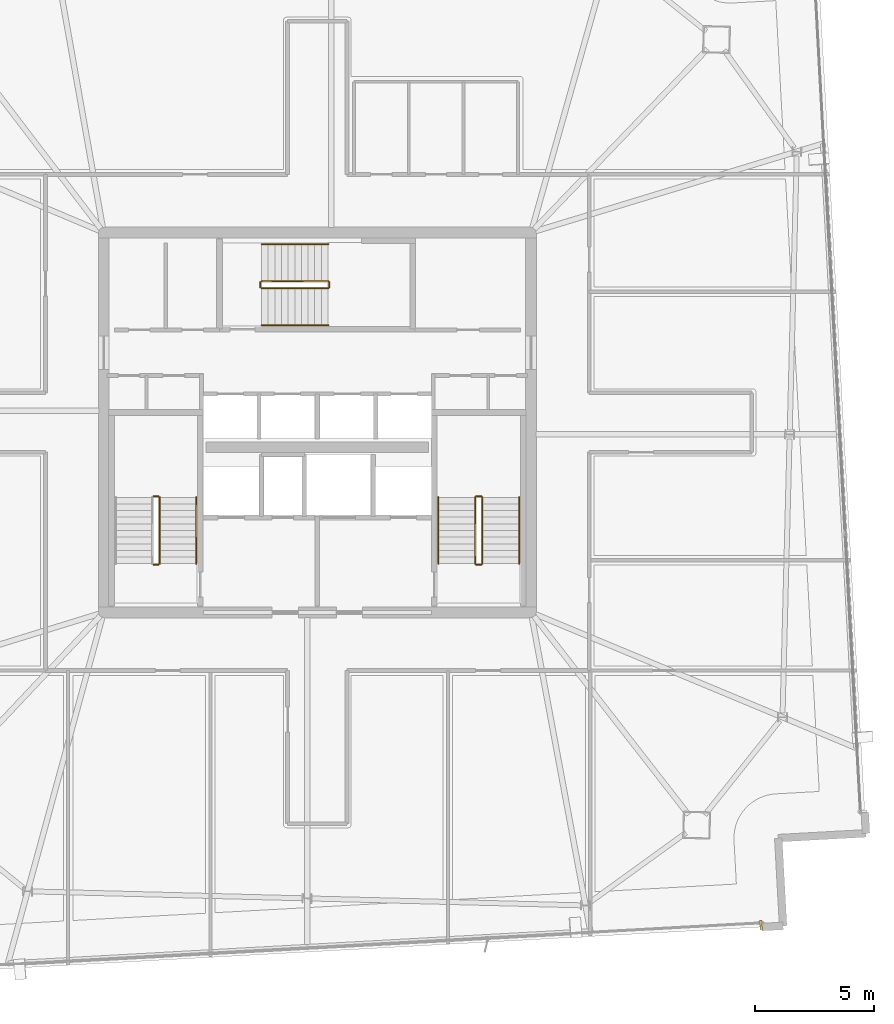
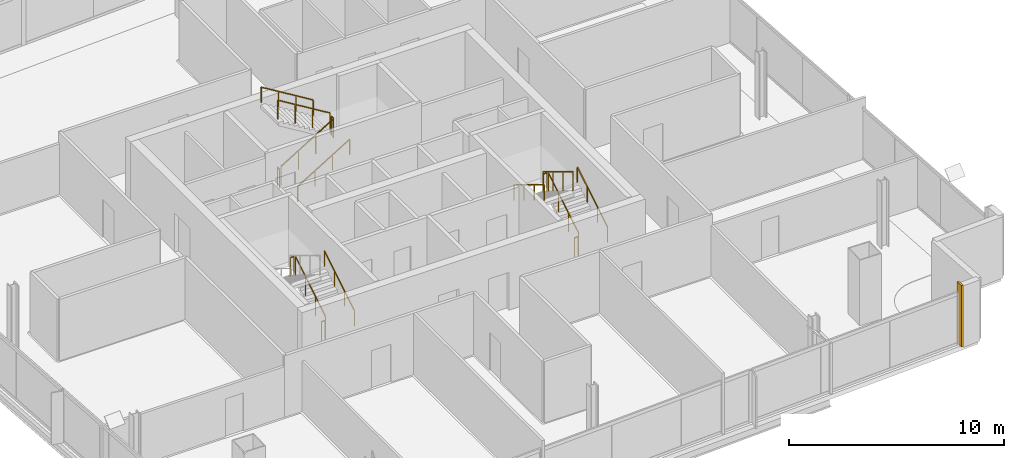
# One storey, part 22 of 23: 16 railings, 1 covering.
"""IFC4 building model written with IfcOpenShell, lengths in metres."""

from ifc_helpers import new_model, si_unit, direction, frame, origin, origin_2d, place, context, subcontext, project, spatial, rectangle, extrude, source, transform, mapped, material, layer, layer_set, type_object, element, save


model = new_model("IFC4")

# Units and contexts
model_context = context("Model", 3, precision=1e-05, world=origin(), true_north=direction((0.0, 1.0)))
body_context = subcontext(model_context, "Body", "Model", "MODEL_VIEW")
ifc_project = project(units=[si_unit("LENGTHUNIT", "METRE"), si_unit("AREAUNIT", "SQUARE_METRE"), si_unit("VOLUMEUNIT", "CUBIC_METRE"), si_unit("PLANEANGLEUNIT", "RADIAN"), si_unit("MASSUNIT", "GRAM", prefix="KILO")], contexts=[model_context])

# Site, building, storey
site_placement = place(None, origin())
site = spatial("IfcSite", under=ifc_project, at=site_placement, CompositionType="ELEMENT")
building_placement = place(site_placement, origin())
building = spatial("IfcBuilding", under=site, at=building_placement, Name="Haldenkirk Collegiate Tower", CompositionType="ELEMENT")
storey_placement = place(building_placement, frame((0.0, 0.0, 340.199951171875)))
storey = spatial("IfcBuildingStorey", under=building, at=storey_placement, Name="L86", CompositionType="ELEMENT", Elevation=340.199951171875)

# Railings
ifc_material_1 = material(Name="Painted architectural tubular steel", Category="steel")
railing_type_1 = type_object("IfcRailingType", Name="RLG-STAIR-GUARD-1100", PredefinedType="BALUSTRADE", material=ifc_material_1)
railing_1_placement = place(storey_placement, frame((29.35009765625, 20.050048828125, 0.17041015625)))
element("IfcRailing", 1, at=railing_1_placement, inside=storey, type_object=railing_type_1, Name="L86 ST-1 stair guard 1", PredefinedType="BALUSTRADE", context=body_context, shape_type="SweptSolid", body=[
    extrude(rectangle(XDim=0.048095703125, YDim=0.048095703125, at=origin_2d()), frame((0.0, 0.0, 1.076171875), z_axis=(0.0, 0.854169791009, 0.51999420009), x_axis=(-1.0, 0.0, 0.0)), (0.0, 0.0, 1.0), 3.278076171875),
    extrude(rectangle(XDim=0.0419921875, YDim=0.0419921875, at=origin_2d()), origin(), (0.0, 0.0, 1.0), 1.052001953125),
    extrude(rectangle(XDim=0.0419921875, YDim=0.0419921875, at=origin_2d()), frame((0.0, 0.933349609375, 0.568115234375)), (0.0, 0.0, 1.0), 1.052001953125),
    extrude(rectangle(XDim=0.0419921875, YDim=0.0419921875, at=origin_2d()), frame((0.0, 1.86669921875, 1.136474609375)), (0.0, 0.0, 1.0), 1.052001953125),
    extrude(rectangle(XDim=0.0419921875, YDim=0.0419921875, at=origin_2d()), frame((0.0, 2.800048828125, 1.70458984375)), (0.0, 0.0, 1.0), 1.052001953125),
])
for number, where, name in (
    (2, (29.300048828125, 22.89990234375, 1.875), "L86 ST-1 stair guard 2"),
    (3, (29.300048828125, 20.0, 0.0), "L86 ST-1 stair guard 4"),
):
    element("IfcRailing", number, at=place(storey_placement, frame(where)), inside=storey, type_object=railing_type_1, Name=name, PredefinedType="BALUSTRADE", context=body_context, shape_type="SweptSolid", body=[
        extrude(rectangle(XDim=0.048095703125, YDim=0.048095703125, at=origin_2d()), frame((0.0, 0.0, 1.076171875), z_axis=(-1.0, 0.0, 0.0), x_axis=(0.0, -1.0, 0.0)), (0.0, 0.0, 1.0), 0.199951171875),
        extrude(rectangle(XDim=0.0419921875, YDim=0.0419921875, at=origin_2d()), origin(), (0.0, 0.0, 1.0), 1.052001953125),
        extrude(rectangle(XDim=0.0419921875, YDim=0.0419921875, at=origin_2d()), frame((-0.199951171875, 0.0, 0.0)), (0.0, 0.0, 1.0), 1.052001953125),
    ])
railing_2_placement = place(storey_placement, frame((42.949951171875, 20.050048828125, 0.17041015625)))
element("IfcRailing", 4, at=railing_2_placement, inside=storey, type_object=railing_type_1, Name="L86 ST-2 stair guard 1", PredefinedType="BALUSTRADE", context=body_context, shape_type="SweptSolid", body=[
    extrude(rectangle(XDim=0.048095703125, YDim=0.048095703125, at=origin_2d()), frame((0.0, 0.0, 1.076171875), z_axis=(0.0, 0.854169791009, 0.51999420009), x_axis=(-1.0, 0.0, 0.0)), (0.0, 0.0, 1.0), 3.278076171875),
    extrude(rectangle(XDim=0.0419921875, YDim=0.0419921875, at=origin_2d()), origin(), (0.0, 0.0, 1.0), 1.052001953125),
    extrude(rectangle(XDim=0.0419921875, YDim=0.0419921875, at=origin_2d()), frame((0.0, 0.933349609375, 0.568115234375)), (0.0, 0.0, 1.0), 1.052001953125),
    extrude(rectangle(XDim=0.0419921875, YDim=0.0419921875, at=origin_2d()), frame((0.0, 1.86669921875, 1.136474609375)), (0.0, 0.0, 1.0), 1.052001953125),
    extrude(rectangle(XDim=0.0419921875, YDim=0.0419921875, at=origin_2d()), frame((0.0, 2.800048828125, 1.70458984375)), (0.0, 0.0, 1.0), 1.052001953125),
])
railing_3_placement = place(storey_placement, frame((42.89990234375, 22.89990234375, 1.875)))
element("IfcRailing", 5, at=railing_3_placement, inside=storey, type_object=railing_type_1, Name="L86 ST-2 stair guard 2", PredefinedType="BALUSTRADE", context=body_context, shape_type="SweptSolid", body=[
    extrude(rectangle(XDim=0.048095703125, YDim=0.048095703125, at=origin_2d()), frame((0.0, 0.0, 1.076171875), z_axis=(-1.0, 0.0, 0.0), x_axis=(0.0, -1.0, 0.0)), (0.0, 0.0, 1.0), 0.199951171875),
    extrude(rectangle(XDim=0.0419921875, YDim=0.0419921875, at=origin_2d()), origin(), (0.0, 0.0, 1.0), 1.052001953125),
    extrude(rectangle(XDim=0.0419921875, YDim=0.0419921875, at=origin_2d()), frame((-0.199951171875, 0.0, 0.0)), (0.0, 0.0, 1.0), 1.052001953125),
])
railing_4_placement = place(storey_placement, frame((42.64990234375, 22.85009765625, 2.04541015625)))
element("IfcRailing", 6, at=railing_4_placement, inside=storey, type_object=railing_type_1, Name="L86 ST-2 stair guard 3", PredefinedType="BALUSTRADE", context=body_context, shape_type="SweptSolid", body=[
    extrude(rectangle(XDim=0.048095703125, YDim=0.048095703125, at=origin_2d()), frame((0.0, 0.0, 1.076171875), z_axis=(0.0, -0.854169791009, 0.51999420009), x_axis=(1.0, 0.0, 0.0)), (0.0, 0.0, 1.0), 3.278076171875),
    extrude(rectangle(XDim=0.0419921875, YDim=0.0419921875, at=origin_2d()), origin(), (0.0, 0.0, 1.0), 1.052001953125),
    extrude(rectangle(XDim=0.0419921875, YDim=0.0419921875, at=origin_2d()), frame((0.0, -0.933349609375, 0.568115234375)), (0.0, 0.0, 1.0), 1.052001953125),
    extrude(rectangle(XDim=0.0419921875, YDim=0.0419921875, at=origin_2d()), frame((0.0, -1.86669921875, 1.136474609375)), (0.0, 0.0, 1.0), 1.052001953125),
    extrude(rectangle(XDim=0.0419921875, YDim=0.0419921875, at=origin_2d()), frame((0.0, -2.800048828125, 1.70458984375)), (0.0, 0.0, 1.0), 1.052001953125),
])
railing_5_placement = place(storey_placement, frame((42.89990234375, 20.0, 0.0)))
element("IfcRailing", 7, at=railing_5_placement, inside=storey, type_object=railing_type_1, Name="L86 ST-2 stair guard 4", PredefinedType="BALUSTRADE", context=body_context, shape_type="SweptSolid", body=[
    extrude(rectangle(XDim=0.048095703125, YDim=0.048095703125, at=origin_2d()), frame((0.0, 0.0, 1.076171875), z_axis=(-1.0, 0.0, 0.0), x_axis=(0.0, -1.0, 0.0)), (0.0, 0.0, 1.0), 0.199951171875),
    extrude(rectangle(XDim=0.0419921875, YDim=0.0419921875, at=origin_2d()), origin(), (0.0, 0.0, 1.0), 1.052001953125),
    extrude(rectangle(XDim=0.0419921875, YDim=0.0419921875, at=origin_2d()), frame((-0.199951171875, 0.0, 0.0)), (0.0, 0.0, 1.0), 1.052001953125),
])
railing_6_placement = place(storey_placement, frame((33.64990234375, 31.64990234375, 0.17041015625)))
element("IfcRailing", 8, at=railing_6_placement, inside=storey, type_object=railing_type_1, Name="L86 ST-3 stair guard 1", PredefinedType="BALUSTRADE", context=body_context, shape_type="SweptSolid", body=[
    extrude(rectangle(XDim=0.048095703125, YDim=0.048095703125, at=origin_2d()), frame((0.0, 0.0, 1.076171875), z_axis=(0.854169791009, 0.0, 0.51999420009), x_axis=(0.0, 1.0, 0.0)), (0.0, 0.0, 1.0), 3.278076171875),
    extrude(rectangle(XDim=0.0419921875, YDim=0.0419921875, at=origin_2d()), origin(), (0.0, 0.0, 1.0), 1.052001953125),
    extrude(rectangle(XDim=0.0419921875, YDim=0.0419921875, at=origin_2d()), frame((0.933349609375, 0.0, 0.568115234375)), (0.0, 0.0, 1.0), 1.052001953125),
    extrude(rectangle(XDim=0.0419921875, YDim=0.0419921875, at=origin_2d()), frame((1.86669921875, 0.0, 1.136474609375)), (0.0, 0.0, 1.0), 1.052001953125),
    extrude(rectangle(XDim=0.0419921875, YDim=0.0419921875, at=origin_2d()), frame((2.800048828125, 0.0, 1.70458984375)), (0.0, 0.0, 1.0), 1.052001953125),
])
railing_7_placement = place(storey_placement, frame((36.5, 31.699951171875, 1.875)))
element("IfcRailing", 9, at=railing_7_placement, inside=storey, type_object=railing_type_1, Name="L86 ST-3 stair guard 2", PredefinedType="BALUSTRADE", context=body_context, shape_type="SweptSolid", body=[
    extrude(rectangle(XDim=0.048095703125, YDim=0.048095703125, at=origin_2d()), frame((0.0, 0.0, 1.076171875), z_axis=(0.0, 1.0, 0.0), x_axis=(-1.0, 0.0, 0.0)), (0.0, 0.0, 1.0), 0.199951171875),
    extrude(rectangle(XDim=0.0419921875, YDim=0.0419921875, at=origin_2d()), origin(), (0.0, 0.0, 1.0), 1.052001953125),
    extrude(rectangle(XDim=0.0419921875, YDim=0.0419921875, at=origin_2d()), frame((0.0, 0.199951171875, 0.0)), (0.0, 0.0, 1.0), 1.052001953125),
])
railing_8_placement = place(storey_placement, frame((36.449951171875, 31.949951171875, 2.04541015625)))
element("IfcRailing", 10, at=railing_8_placement, inside=storey, type_object=railing_type_1, Name="L86 ST-3 stair guard 3", PredefinedType="BALUSTRADE", context=body_context, shape_type="SweptSolid", body=[
    extrude(rectangle(XDim=0.048095703125, YDim=0.048095703125, at=origin_2d()), frame((0.0, 0.0, 1.076171875), z_axis=(-0.854169791009, 0.0, 0.51999420009), x_axis=(0.0, -1.0, 0.0)), (0.0, 0.0, 1.0), 3.278076171875),
    extrude(rectangle(XDim=0.0419921875, YDim=0.0419921875, at=origin_2d()), origin(), (0.0, 0.0, 1.0), 1.052001953125),
    extrude(rectangle(XDim=0.0419921875, YDim=0.0419921875, at=origin_2d()), frame((-0.933349609375, 0.0, 0.568115234375)), (0.0, 0.0, 1.0), 1.052001953125),
    extrude(rectangle(XDim=0.0419921875, YDim=0.0419921875, at=origin_2d()), frame((-1.86669921875, 0.0, 1.136474609375)), (0.0, 0.0, 1.0), 1.052001953125),
    extrude(rectangle(XDim=0.0419921875, YDim=0.0419921875, at=origin_2d()), frame((-2.800048828125, 0.0, 1.70458984375)), (0.0, 0.0, 1.0), 1.052001953125),
])
railing_9_placement = place(storey_placement, frame((33.60009765625, 31.699951171875, 0.0)))
element("IfcRailing", 11, at=railing_9_placement, inside=storey, type_object=railing_type_1, Name="L86 ST-3 stair guard 4", PredefinedType="BALUSTRADE", context=body_context, shape_type="SweptSolid", body=[
    extrude(rectangle(XDim=0.048095703125, YDim=0.048095703125, at=origin_2d()), frame((0.0, 0.0, 1.076171875), z_axis=(0.0, 1.0, 0.0), x_axis=(-1.0, 0.0, 0.0)), (0.0, 0.0, 1.0), 0.199951171875),
    extrude(rectangle(XDim=0.0419921875, YDim=0.0419921875, at=origin_2d()), origin(), (0.0, 0.0, 1.0), 1.052001953125),
    extrude(rectangle(XDim=0.0419921875, YDim=0.0419921875, at=origin_2d()), frame((0.0, 0.199951171875, 0.0)), (0.0, 0.0, 1.0), 1.052001953125),
])
railing_type_2 = type_object("IfcRailingType", Name="RLG-STAIR-HANDRAIL-900", PredefinedType="HANDRAIL", material=ifc_material_1)
for number, where, name in (
    (12, (30.89990234375, 20.050048828125, 0.17041015625), "L86 ST-1 stair handrail 1"),
    (13, (44.5, 20.050048828125, 0.17041015625), "L86 ST-2 stair handrail 1"),
):
    element("IfcRailing", number, at=place(storey_placement, frame(where)), inside=storey, type_object=railing_type_2, Name=name, PredefinedType="HANDRAIL", context=body_context, shape_type="SweptSolid", body=[
        extrude(rectangle(XDim=0.048095703125, YDim=0.048095703125, at=origin_2d()), frame((0.0, 0.0, 0.8759765625), z_axis=(0.0, 0.854169791009, 0.51999420009), x_axis=(-1.0, 0.0, 0.0)), (0.0, 0.0, 1.0), 3.278076171875),
        extrude(rectangle(XDim=0.0419921875, YDim=0.0419921875, at=origin_2d()), origin(), (0.0, 0.0, 1.0), 0.851806640625),
        extrude(rectangle(XDim=0.0419921875, YDim=0.0419921875, at=origin_2d()), frame((0.0, 0.933349609375, 0.568115234375)), (0.0, 0.0, 1.0), 0.851806640625),
        extrude(rectangle(XDim=0.0419921875, YDim=0.0419921875, at=origin_2d()), frame((0.0, 1.86669921875, 1.136474609375)), (0.0, 0.0, 1.0), 0.851806640625),
        extrude(rectangle(XDim=0.0419921875, YDim=0.0419921875, at=origin_2d()), frame((0.0, 2.800048828125, 1.70458984375)), (0.0, 0.0, 1.0), 0.851806640625),
    ])
railing_10_placement = place(storey_placement, frame((41.10009765625, 22.85009765625, 2.04541015625)))
element("IfcRailing", 14, at=railing_10_placement, inside=storey, type_object=railing_type_2, Name="L86 ST-2 stair handrail 2", PredefinedType="HANDRAIL", context=body_context, shape_type="SweptSolid", body=[
    extrude(rectangle(XDim=0.048095703125, YDim=0.048095703125, at=origin_2d()), frame((0.0, 0.0, 0.8759765625), z_axis=(0.0, -0.854169791009, 0.51999420009), x_axis=(1.0, 0.0, 0.0)), (0.0, 0.0, 1.0), 3.278076171875),
    extrude(rectangle(XDim=0.0419921875, YDim=0.0419921875, at=origin_2d()), origin(), (0.0, 0.0, 1.0), 0.851806640625),
    extrude(rectangle(XDim=0.0419921875, YDim=0.0419921875, at=origin_2d()), frame((0.0, -0.933349609375, 0.568115234375)), (0.0, 0.0, 1.0), 0.851806640625),
    extrude(rectangle(XDim=0.0419921875, YDim=0.0419921875, at=origin_2d()), frame((0.0, -1.86669921875, 1.136474609375)), (0.0, 0.0, 1.0), 0.851806640625),
    extrude(rectangle(XDim=0.0419921875, YDim=0.0419921875, at=origin_2d()), frame((0.0, -2.800048828125, 1.70458984375)), (0.0, 0.0, 1.0), 0.851806640625),
])
railing_11_placement = place(storey_placement, frame((33.64990234375, 30.10009765625, 0.17041015625)))
element("IfcRailing", 15, at=railing_11_placement, inside=storey, type_object=railing_type_2, Name="L86 ST-3 stair handrail 1", PredefinedType="HANDRAIL", context=body_context, shape_type="SweptSolid", body=[
    extrude(rectangle(XDim=0.048095703125, YDim=0.048095703125, at=origin_2d()), frame((0.0, 0.0, 0.8759765625), z_axis=(0.854169791009, 0.0, 0.51999420009), x_axis=(0.0, 1.0, 0.0)), (0.0, 0.0, 1.0), 3.278076171875),
    extrude(rectangle(XDim=0.0419921875, YDim=0.0419921875, at=origin_2d()), origin(), (0.0, 0.0, 1.0), 0.851806640625),
    extrude(rectangle(XDim=0.0419921875, YDim=0.0419921875, at=origin_2d()), frame((0.933349609375, 0.0, 0.568115234375)), (0.0, 0.0, 1.0), 0.851806640625),
    extrude(rectangle(XDim=0.0419921875, YDim=0.0419921875, at=origin_2d()), frame((1.86669921875, 0.0, 1.136474609375)), (0.0, 0.0, 1.0), 0.851806640625),
    extrude(rectangle(XDim=0.0419921875, YDim=0.0419921875, at=origin_2d()), frame((2.800048828125, 0.0, 1.70458984375)), (0.0, 0.0, 1.0), 0.851806640625),
])
railing_12_placement = place(storey_placement, frame((36.449951171875, 33.5, 2.04541015625)))
element("IfcRailing", 16, at=railing_12_placement, inside=storey, type_object=railing_type_2, Name="L86 ST-3 stair handrail 2", PredefinedType="HANDRAIL", context=body_context, shape_type="SweptSolid", body=[
    extrude(rectangle(XDim=0.048095703125, YDim=0.048095703125, at=origin_2d()), frame((0.0, 0.0, 0.8759765625), z_axis=(-0.854169791009, 0.0, 0.51999420009), x_axis=(0.0, -1.0, 0.0)), (0.0, 0.0, 1.0), 3.278076171875),
    extrude(rectangle(XDim=0.0419921875, YDim=0.0419921875, at=origin_2d()), origin(), (0.0, 0.0, 1.0), 0.851806640625),
    extrude(rectangle(XDim=0.0419921875, YDim=0.0419921875, at=origin_2d()), frame((-0.933349609375, 0.0, 0.568115234375)), (0.0, 0.0, 1.0), 0.851806640625),
    extrude(rectangle(XDim=0.0419921875, YDim=0.0419921875, at=origin_2d()), frame((-1.86669921875, 0.0, 1.136474609375)), (0.0, 0.0, 1.0), 0.851806640625),
    extrude(rectangle(XDim=0.0419921875, YDim=0.0419921875, at=origin_2d()), frame((-2.800048828125, 0.0, 1.70458984375)), (0.0, 0.0, 1.0), 0.851806640625),
])

# Covering
ifc_material_2 = material(Name="Anodised architectural bronze aluminium", Category="aluminium")
ifc_layer = layer(ifc_material_2, 0.06005859375)
ifc_layer_set = layer_set([ifc_layer], Name="Anodised architectural bronze aluminium")
covering_type = type_object("IfcCoveringType", Name="COV-CLAD-BRONZE-60", PredefinedType="CLADDING", material=ifc_layer_set)
shared_shape = source(origin(), body_context, "Body", "SweptSolid", [
    extrude(rectangle(XDim=0.10009765625, YDim=0.3798828125, at=origin_2d()), origin(), (0.0, 0.0, 1.0), 3.489990234375),
])
covering_placement = place(storey_placement, frame((54.686279296875, 4.834716796875, 0.0), z_axis=(0.0, 0.0, 1.0), x_axis=(-0.998489097451, -0.054950179912, 0.0)))
element("IfcCovering", 17, at=covering_placement, inside=storey, type_object=covering_type, Name="L86 recessed curtain-wall bronze jamb closure WJL", PredefinedType="CLADDING", context=body_context, shape_type="MappedRepresentation", body=[
    mapped(shared_shape, transform((0.0, 0.0, 0.0), x_axis=(1.0, 0.0, 0.0), y_axis=(0.0, 1.0, 0.0), z_axis=(0.0, 0.0, 1.0), scale=1.0)),
])

save(model, "model.ifc")
